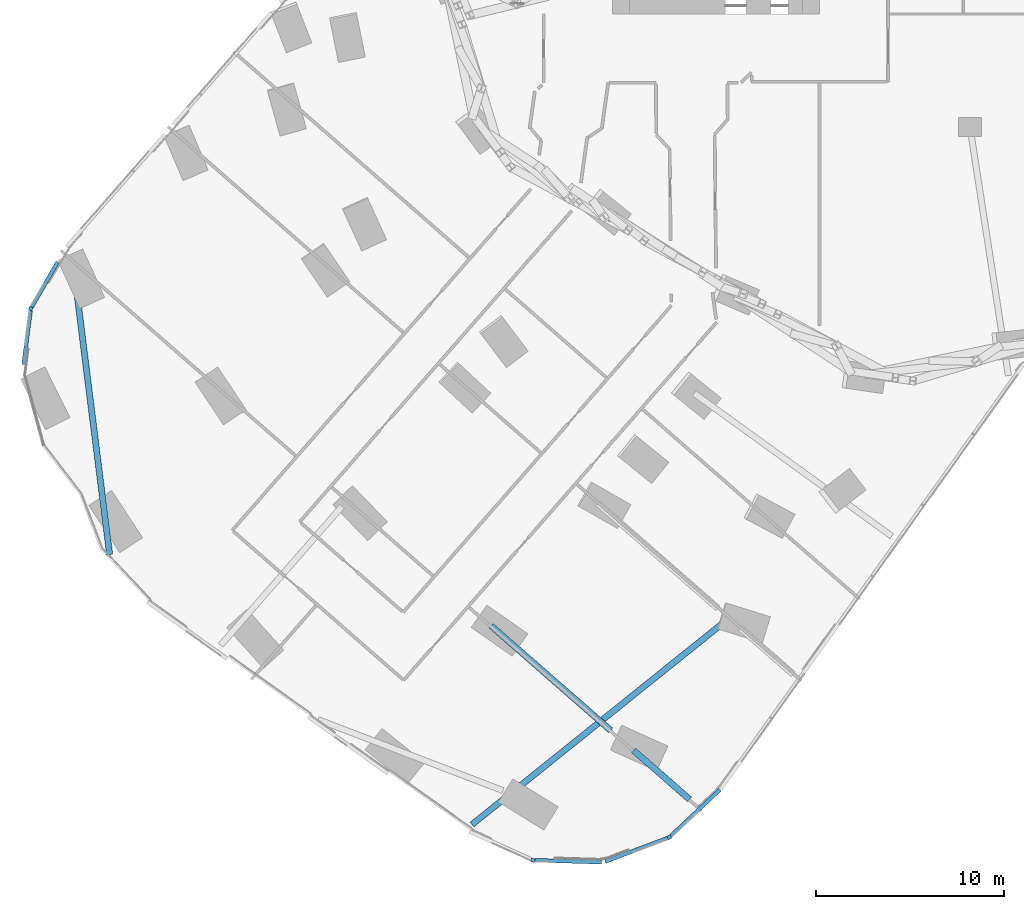
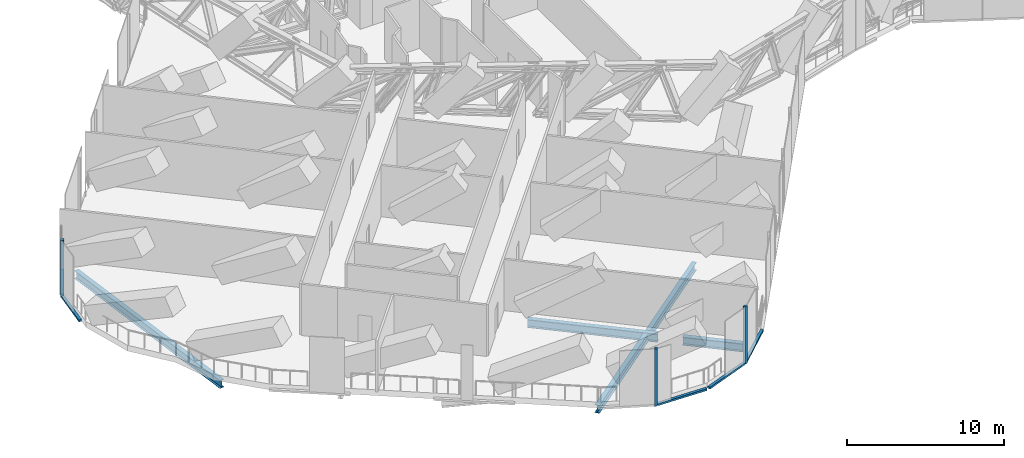
# One storey, part 3 of 34: 8 members, 4 beams, 6 elements without a shape of their own.
"""IFC4 building model written with IfcOpenShell, lengths in metres."""

from ifc_helpers import new_model, si_unit, direction, frame, origin, origin_2d, place, context, subcontext, project, spatial, rectangle, i_section, extrude, material, material_profile, profile_set, type_object, element, aggregate, save


model = new_model("IFC4")

# Units and contexts
model_context = context("Model", 3, precision=1e-05, world=origin(), true_north=direction((0.0, 1.0)))
body_context = subcontext(model_context, "Body", "Model", "MODEL_VIEW")
ifc_project = project(units=[si_unit("LENGTHUNIT", "METRE"), si_unit("AREAUNIT", "SQUARE_METRE"), si_unit("VOLUMEUNIT", "CUBIC_METRE"), si_unit("PLANEANGLEUNIT", "RADIAN"), si_unit("MASSUNIT", "GRAM", prefix="KILO")], contexts=[model_context])

# Site, building, storey
site_placement = place(None, origin())
site = spatial("IfcSite", under=ifc_project, at=site_placement, CompositionType="ELEMENT")
building_placement = place(site_placement, origin())
building = spatial("IfcBuilding", under=site, at=building_placement, Name="Orlundy Tower", CompositionType="ELEMENT")
storey_placement = place(building_placement, frame((0.0, 0.0, 76.300048828125)))
storey = spatial("IfcBuildingStorey", under=building, at=storey_placement, Name="L18", CompositionType="ELEMENT", Elevation=76.300048828125)

# Beams
ifc_material_1 = material(Name="Steel ASTM A992 Gr 50", Category="steel")
ifc_material_profile_1 = material_profile(ifc_material_1, i_section(OverallWidth=0.32373046875, OverallDepth=0.611083984375, WebThickness=0.0126953125, FlangeThickness=0.01904296875, at=origin_2d()), Name="W24X104")
ifc_profile_set_1 = profile_set([ifc_material_profile_1], Name="Steel ASTM A992 Gr 50")
beam_type_1 = type_object("IfcBeamType", Name="CANTILEVER GIRDER beam W24X104", PredefinedType="BEAM", material=ifc_profile_set_1)
beam_1_placement = place(storey_placement, frame((-45.725341796875, -40.725830078125, -0.755615234375), z_axis=(-0.124477539817, 0.99222242571, 0.0), x_axis=(-0.99222242571, -0.124477539817, 0.0)))
element("IfcBeam", 1, at=beam_1_placement, inside=storey, type_object=beam_type_1, Name="Cantilever girder C-B2-5 L18", PredefinedType="BEAM", context=body_context, shape_type="SweptSolid", body=[
    extrude(i_section(OverallWidth=0.32373046875, OverallDepth=0.611083984375, WebThickness=0.0126953125, FlangeThickness=0.01904296875, at=origin_2d()), origin(), (0.0, 0.0, 1.0), 15.335693359375),
])
beam_2_placement = place(storey_placement, frame((-26.466552734375, -55.080078125, -0.755615234375), z_axis=(0.779879270078, 0.62592996741, 0.0), x_axis=(-0.62592996741, 0.779879270078, 0.0)))
element("IfcBeam", 2, at=beam_2_placement, inside=storey, type_object=beam_type_1, Name="Cantilever girder C-B5-5 L18", PredefinedType="BEAM", context=body_context, shape_type="SweptSolid", body=[
    extrude(i_section(OverallWidth=0.32373046875, OverallDepth=0.611083984375, WebThickness=0.0126953125, FlangeThickness=0.01904296875, at=origin_2d()), origin(), (0.0, 0.0, 1.0), 17.082763671875),
])
ifc_material_2 = material(Name="Steel ASTM A992 Gr 50", Category="steel")
ifc_material_profile_2 = material_profile(ifc_material_2, i_section(OverallWidth=0.3291015625, OverallDepth=0.635009765625, WebThickness=0.017822265625, FlangeThickness=0.031005859375, at=origin_2d()), Name="W24X162")
ifc_profile_set_2 = profile_set([ifc_material_profile_2], Name="Steel ASTM A992 Gr 50")
beam_type_2 = type_object("IfcBeamType", Name="CANTILEVER GIRDER beam W24X162", PredefinedType="BEAM", material=ifc_profile_set_2)
beam_3_placement = place(storey_placement, frame((-14.906982421875, -53.73828125, -0.767578125), z_axis=(-0.752806373164, 0.658242025796, 0.0), x_axis=(-0.658242025796, -0.752806373164, 0.0)))
element("IfcBeam", 3, at=beam_3_placement, inside=storey, type_object=beam_type_2, Name="Cantilever girder C-B5-3 L18", PredefinedType="BEAM", context=body_context, shape_type="SweptSolid", body=[
    extrude(i_section(OverallWidth=0.3291015625, OverallDepth=0.635009765625, WebThickness=0.017822265625, FlangeThickness=0.031005859375, at=origin_2d()), origin(), (0.0, 0.0, 1.0), 3.949951171875),
])
beam_4_placement = place(storey_placement, frame((-19.093505859375, -50.07763671875, -0.767578125), z_axis=(-0.752820055267, 0.658226377767, 0.0), x_axis=(-0.658226377767, -0.752820055267, 0.0)))
element("IfcBeam", 4, at=beam_4_placement, inside=storey, type_object=beam_type_2, Name="Back-span girder C-B5-3 L18", PredefinedType="BEAM", context=body_context, shape_type="SweptSolid", body=[
    extrude(i_section(OverallWidth=0.3291015625, OverallDepth=0.635009765625, WebThickness=0.017822265625, FlangeThickness=0.031005859375, at=origin_2d()), origin(), (0.0, 0.0, 1.0), 8.449951171875),
])

# Curtain wall, member
ifc_material_3 = material(Name="Aluminium bronze anodised", Category="aluminium")
curtain_wall_type = type_object("IfcCurtainWallType", Name="CW4 wall", PredefinedType="NOTDEFINED", material=ifc_material_3)
curtain_wall_1_placement = place(storey_placement, origin())
curtain_wall_1 = element("IfcCurtainWall", 5, at=curtain_wall_1_placement, inside=storey, type_object=curtain_wall_type, Name="CW4 run 032", PredefinedType="NOTDEFINED")
ifc_material_4 = material(Name="Aluminium bronze anodised", Category="aluminium")
ifc_material_profile_3 = material_profile(ifc_material_4, rectangle(XDim=0.199951171875, YDim=0.199951171875, at=origin_2d()), Name="CW4 corner post 200x200")
ifc_profile_set_3 = profile_set([ifc_material_profile_3], Name="Aluminium bronze anodised")
member_type_1 = type_object("IfcMemberType", Name="CW4 corner post 200x200", PredefinedType="MULLION", material=ifc_profile_set_3)
member_1_placement = place(storey_placement, frame((-15.97900390625, -55.760498046875, -0.449951171875), z_axis=(0.0, 0.0, 1.0), x_axis=(0.354166301715, -0.935182458523, 0.0)))
member_1 = element("IfcMember", 6, at=member_1_placement, type_object=member_type_1, Name="CW4 mullion 57", PredefinedType="MULLION", context=body_context, shape_type="SweptSolid", body=[
    extrude(rectangle(XDim=0.199951171875, YDim=0.199951171875, at=origin_2d()), origin(), (0.0, 0.0, 1.0), 4.449951171875),
])

curtain_wall_2_placement = place(storey_placement, origin())
curtain_wall_2 = element("IfcCurtainWall", 7, at=curtain_wall_2_placement, inside=storey, type_object=curtain_wall_type, Name="CW4 run 034", PredefinedType="NOTDEFINED")
member_2_placement = place(storey_placement, frame((-23.22802734375, -56.973388671875, -0.449951171875), z_axis=(0.0, 0.0, 1.0), x_axis=(-0.410914311157, -0.911673970719, 0.0)))
member_2 = element("IfcMember", 8, at=member_2_placement, type_object=member_type_1, Name="CW4 mullion 59", PredefinedType="MULLION", context=body_context, shape_type="SweptSolid", body=[
    extrude(rectangle(XDim=0.199951171875, YDim=0.199951171875, at=origin_2d()), origin(), (0.0, 0.0, 1.0), 4.449951171875),
])
aggregate(curtain_wall_2, [member_2])

curtain_wall_3_placement = place(storey_placement, origin())
curtain_wall_3 = element("IfcCurtainWall", 9, at=curtain_wall_3_placement, inside=storey, type_object=curtain_wall_type, Name="CW4 run 041", PredefinedType="NOTDEFINED")
member_3_placement = place(storey_placement, frame((-49.91357421875, -27.6552734375, -0.449951171875), z_axis=(0.0, 0.0, 1.0), x_axis=(-0.866845089361, 0.498577567738, 0.0)))
member_3 = element("IfcMember", 10, at=member_3_placement, type_object=member_type_1, Name="CW4 mullion 69", PredefinedType="MULLION", context=body_context, shape_type="SweptSolid", body=[
    extrude(rectangle(XDim=0.199951171875, YDim=0.199951171875, at=origin_2d()), origin(), (0.0, 0.0, 1.0), 4.449951171875),
])

curtain_wall_4_placement = place(storey_placement, origin())
curtain_wall_4 = element("IfcCurtainWall", 11, at=curtain_wall_4_placement, inside=storey, type_object=curtain_wall_type, Name="CW4 run 031", PredefinedType="NOTDEFINED")
ifc_material_5 = material(Name="Aluminium bronze anodised", Category="aluminium")
ifc_material_profile_4 = material_profile(ifc_material_5, rectangle(XDim=0.199951171875, YDim=0.14990234375, at=origin_2d()), Name="CW4 transom 200x150")
ifc_profile_set_4 = profile_set([ifc_material_profile_4], Name="Aluminium bronze anodised")
member_type_2 = type_object("IfcMemberType", Name="CW4 transom 200x150", PredefinedType="USERDEFINED", material=ifc_profile_set_4)
member_4_placement = place(storey_placement, frame((-13.2802734375, -53.220703125, -0.375), z_axis=(-0.728225891755, -0.68533718021, 0.0), x_axis=(0.68533718021, -0.728225891755, 0.0)))
member_4 = element("IfcMember", 12, at=member_4_placement, type_object=member_type_2, Name="CW4 transom", ObjectType="TRANSOM", PredefinedType="USERDEFINED", context=body_context, shape_type="SweptSolid", body=[
    extrude(rectangle(XDim=0.199951171875, YDim=0.14990234375, at=origin_2d()), origin(), (0.0, 0.0, 1.0), 3.59765625),
])
aggregate(curtain_wall_4, [member_4])

# Member
member_5_placement = place(storey_placement, frame((-16.072509765625, -55.7958984375, -0.375), z_axis=(-0.935178833746, -0.354175872857, 0.0), x_axis=(0.354175872857, -0.935178833746, 0.0)))
member_5 = element("IfcMember", 13, at=member_5_placement, type_object=member_type_2, Name="CW4 transom", ObjectType="TRANSOM", PredefinedType="USERDEFINED", context=body_context, shape_type="SweptSolid", body=[
    extrude(rectangle(XDim=0.199951171875, YDim=0.14990234375, at=origin_2d()), origin(), (0.0, 0.0, 1.0), 3.5390625),
])

aggregate(curtain_wall_1, [member_1, member_5])

# Curtain wall, member
curtain_wall_5_placement = place(storey_placement, origin())
curtain_wall_5 = element("IfcCurtainWall", 14, at=curtain_wall_5_placement, inside=storey, type_object=curtain_wall_type, Name="CW4 run 033", PredefinedType="NOTDEFINED")
member_6_placement = place(storey_placement, frame((-19.5830078125, -57.08447265625, -0.375), z_axis=(-0.999534827035, 0.030498025235, 0.0), x_axis=(-0.030498025235, -0.999534827035, 0.0)))
member_6 = element("IfcMember", 15, at=member_6_placement, type_object=member_type_2, Name="CW4 transom", ObjectType="TRANSOM", PredefinedType="USERDEFINED", context=body_context, shape_type="SweptSolid", body=[
    extrude(rectangle(XDim=0.199951171875, YDim=0.14990234375, at=origin_2d()), origin(), (0.0, 0.0, 1.0), 3.538330078125),
])
aggregate(curtain_wall_5, [member_6])

curtain_wall_6_placement = place(storey_placement, origin())
curtain_wall_6 = element("IfcCurtainWall", 16, at=curtain_wall_6_placement, inside=storey, type_object=curtain_wall_type, Name="CW4 run 040", PredefinedType="NOTDEFINED")
member_7_placement = place(storey_placement, frame((-50.30029296875, -30.623046875, -0.375), z_axis=(0.129241488462, 0.991613149197, 0.0), x_axis=(-0.991613149197, 0.129241488462, 0.0)))
member_7 = element("IfcMember", 17, at=member_7_placement, type_object=member_type_2, Name="CW4 transom", ObjectType="TRANSOM", PredefinedType="USERDEFINED", context=body_context, shape_type="SweptSolid", body=[
    extrude(rectangle(XDim=0.199951171875, YDim=0.14990234375, at=origin_2d()), origin(), (0.0, 0.0, 1.0), 2.884521484375),
])
aggregate(curtain_wall_6, [member_7])

# Member
member_8_placement = place(storey_placement, frame((-49.86376953125, -27.568603515625, -0.375), z_axis=(0.498587569438, 0.866839336672, 0.0), x_axis=(-0.866839336672, 0.498587569438, 0.0)))
member_8 = element("IfcMember", 18, at=member_8_placement, type_object=member_type_2, Name="CW4 transom", ObjectType="TRANSOM", PredefinedType="USERDEFINED", context=body_context, shape_type="SweptSolid", body=[
    extrude(rectangle(XDim=0.199951171875, YDim=0.14990234375, at=origin_2d()), origin(), (0.0, 0.0, 1.0), 2.75732421875),
])

aggregate(curtain_wall_3, [member_3, member_8])

save(model, "model.ifc")
